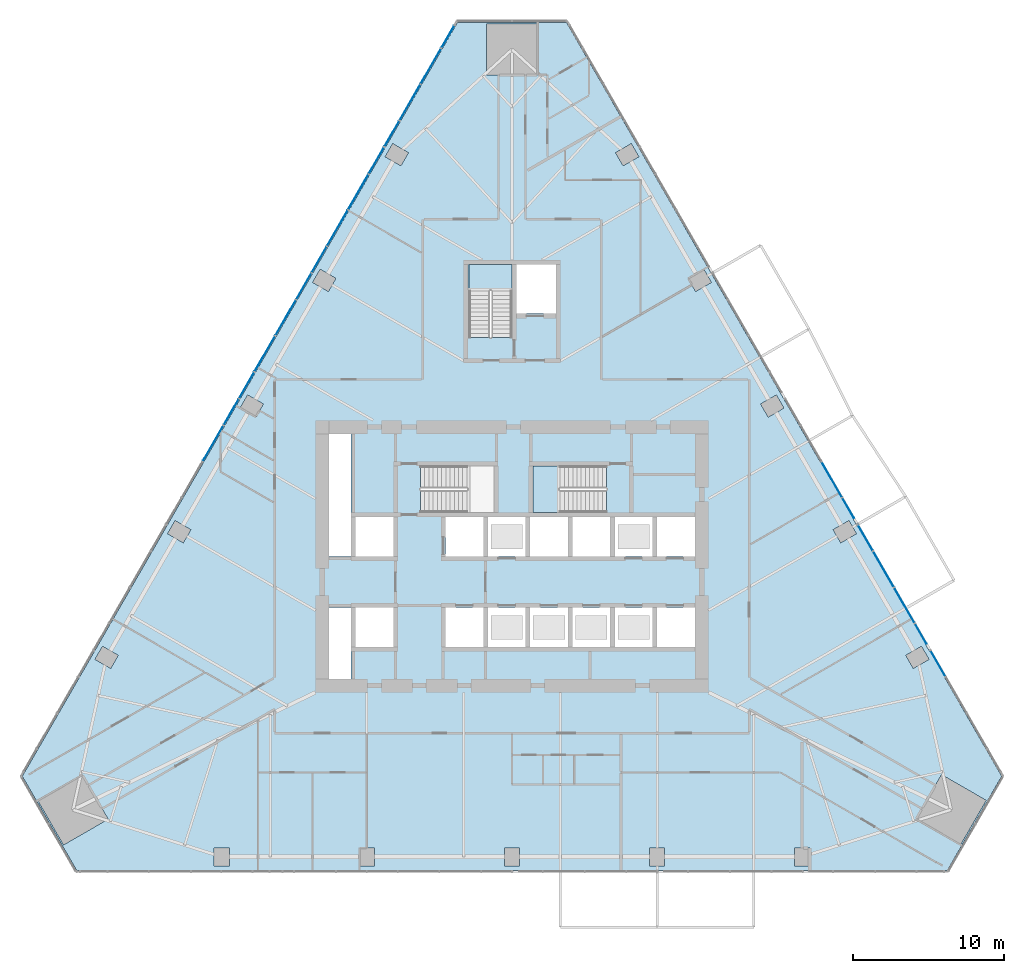
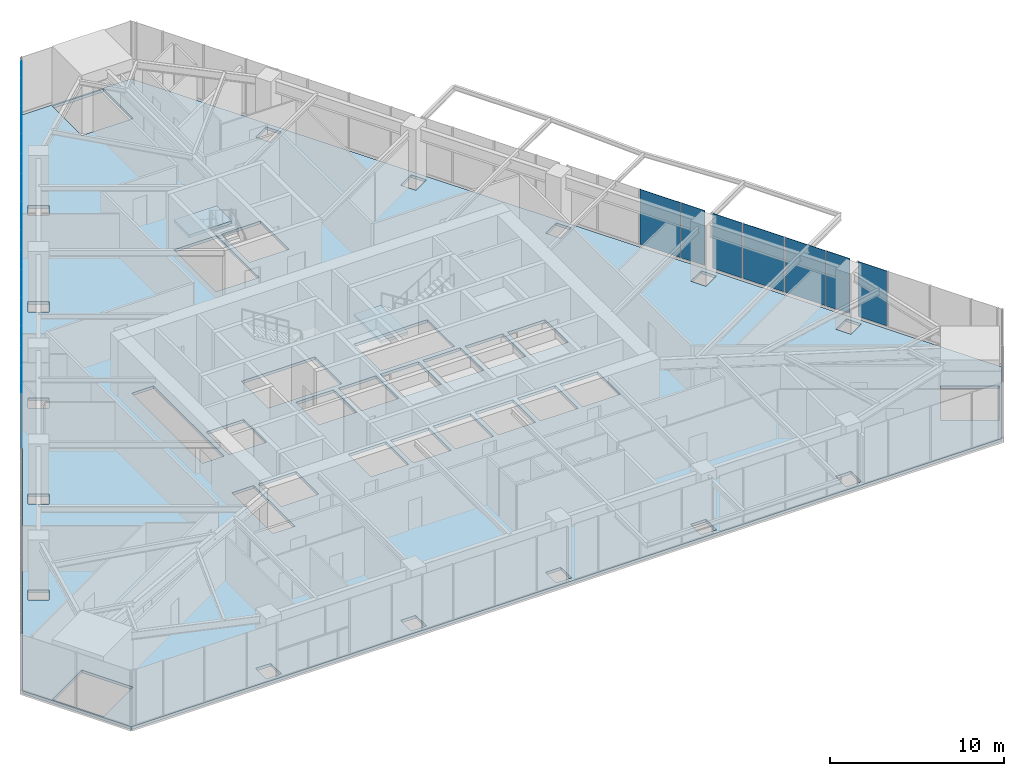
# One storey, part 18 of 29: 21 plates, 3 slabs, 4 elements without a shape of their own.
"""IFC4 building model written with IfcOpenShell, lengths in metres."""

import ifcopenshell
import ifcopenshell.guid

model = None  # the IFC model being written
_history = None  # IfcOwnerHistory: only IFC2X3 demands one
_inside = {}  # id of a spatial element -> (the spatial element, [elements in it])
_under = {}  # id of a project, library or spatial element -> (it, [spatial elements below it])
_declared = {}  # id of a project -> (the project, [libraries it declares])
_typed = {}  # id of a type object -> (the type object, [elements of that type])
_made_of = {}  # id of a material, layer set ... -> (it, [elements and type objects made of it])


def new_model(schema):
    """Start an empty IFC model of exactly this schema.

    Asked for "IFC4X3", IfcOpenShell would pick the latest addendum, in which some entities
    have other attributes; the version numbers below select the first issue.
    IFC2X3 requires an IfcOwnerHistory on every rooted entity: one is made here for all.
    """
    global model, _history
    if schema == "IFC4X3":
        model = ifcopenshell.file(schema_version=(4, 3, 0, 0))
    else:
        model = ifcopenshell.file(schema=schema)
    _inside.clear()
    _under.clear()
    _declared.clear()
    _typed.clear()
    _made_of.clear()
    _history = None
    if model.schema == "IFC2X3":
        org = make("IfcOrganization", Name="unknown")
        user = make(
            "IfcPersonAndOrganization",
            ThePerson=make("IfcPerson", FamilyName="unknown"),
            TheOrganization=org,
        )
        app = make(
            "IfcApplication",
            ApplicationDeveloper=org,
            Version="unknown",
            ApplicationFullName="unknown",
            ApplicationIdentifier="unknown",
        )
        _history = make(
            "IfcOwnerHistory",
            OwningUser=user,
            OwningApplication=app,
            ChangeAction="ADDED",
            CreationDate=0,
        )
    return model


def make(cls, **values):
    """One entity of the class cls with the attributes given. An attribute that is None is left unset."""
    return model.create_entity(
        cls, **{name: value for name, value in values.items() if value is not None}
    )


def rooted(cls, **values):
    """An entity with a GlobalId (a new one), such as an element, a storey or a relation."""
    return make(cls, GlobalId=ifcopenshell.guid.new(), OwnerHistory=_history, **values)


def si_unit(unit_type, name, prefix=None):
    """IfcSIUnit, for example si_unit("LENGTHUNIT", "METRE", prefix="MILLI")."""
    return make("IfcSIUnit", UnitType=unit_type, Prefix=prefix, Name=name)


def assignment(units):
    """IfcUnitAssignment: the units of a project."""
    return None if units is None else make("IfcUnitAssignment", Units=units)


def point(xyz):
    """IfcCartesianPoint."""
    return None if xyz is None else make("IfcCartesianPoint", Coordinates=xyz)


def direction(xyz):
    """IfcDirection."""
    return None if xyz is None else make("IfcDirection", DirectionRatios=xyz)


def frame(location, z_axis=None, x_axis=None):
    """IfcAxis2Placement3D, a coordinate frame: its origin and axes. An axis left out is left unset."""
    return make(
        "IfcAxis2Placement3D",
        Location=point(location),
        Axis=direction(z_axis),
        RefDirection=direction(x_axis),
    )


def origin():
    """The frame at (0, 0, 0) with its axes left unset."""
    return frame((0.0, 0.0, 0.0))


def place(relative_to, where):
    """IfcLocalPlacement: puts the frame where relative to a parent placement (None: the world)."""
    return make(
        "IfcLocalPlacement", PlacementRelTo=relative_to, RelativePlacement=where
    )


def context(
    kind, dimensions, precision=None, world=None, true_north=None, identifier=None
):
    """IfcGeometricRepresentationContext, for example the 3D "Model" context."""
    return make(
        "IfcGeometricRepresentationContext",
        ContextIdentifier=identifier,
        ContextType=kind,
        CoordinateSpaceDimension=dimensions,
        Precision=precision,
        WorldCoordinateSystem=world,
        TrueNorth=true_north,
    )


def subcontext(parent, identifier, kind, view, scale=None):
    """IfcGeometricRepresentationSubContext, for example "Body" below "Model"."""
    return make(
        "IfcGeometricRepresentationSubContext",
        ContextIdentifier=identifier,
        ContextType=kind,
        ParentContext=parent,
        TargetScale=scale,
        TargetView=view,
    )


def project(units=None, contexts=None):
    """IfcProject with its units and contexts."""
    return rooted(
        "IfcProject",
        Name="project",
        RepresentationContexts=contexts,
        UnitsInContext=assignment(units),
    )


def spatial(cls, under=None, at=None, **own):
    """A site, building, storey or space (cls), placed at a placement, below another one or the project."""
    s = rooted(cls, ObjectPlacement=at, **own)
    if under is not None:
        _under.setdefault(under.id(), (under, []))[1].append(s)
    return s


def polyline(points):
    """IfcPolyline through the points."""
    return make("IfcPolyline", Points=[point(p) for p in points])


def outline(outer, holes=None, kind="AREA"):
    """IfcArbitraryClosedProfileDef: a profile drawn as a closed curve; with holes, ...WithVoids."""
    if holes is None:
        return make("IfcArbitraryClosedProfileDef", ProfileType=kind, OuterCurve=outer)
    return make(
        "IfcArbitraryProfileDefWithVoids",
        ProfileType=kind,
        OuterCurve=outer,
        InnerCurves=holes,
    )


def extrude(swept, where, along, depth):
    """IfcExtrudedAreaSolid: the profile swept, set in the frame where, extruded along a direction by depth."""
    return make(
        "IfcExtrudedAreaSolid",
        SweptArea=swept,
        Position=where,
        ExtrudedDirection=direction(along),
        Depth=depth,
    )


def shape(context_of_items, identifier, shape_type, items):
    """IfcShapeRepresentation: the items that make up one representation, for example the "Body"."""
    return make(
        "IfcShapeRepresentation",
        ContextOfItems=context_of_items,
        RepresentationIdentifier=identifier,
        RepresentationType=shape_type,
        Items=items,
    )


def material(Name=None, Category=None):
    """IfcMaterial."""
    return make("IfcMaterial", Name=Name, Category=Category)


def layer(
    of_material, thickness, ventilated=None, Name=None, Category=None, Priority=None
):
    """IfcMaterialLayer: one layer of a wall or slab, of a material (None: an air gap)."""
    return make(
        "IfcMaterialLayer",
        Material=of_material,
        LayerThickness=thickness,
        IsVentilated=ventilated,
        Name=Name,
        Category=Category,
        Priority=Priority,
    )


def layer_set(layers, Name=None):
    """IfcMaterialLayerSet."""
    return make("IfcMaterialLayerSet", MaterialLayers=layers, LayerSetName=Name)


def made_of(thing, what):
    """Note that an element or type object is made of a material, layer set ...; save() writes the relation."""
    if what is not None:
        _made_of.setdefault(what.id(), (what, []))[1].append(thing)
    return thing


def type_object(cls, material=None, **own):
    """A type object (cls), such as IfcWallType, which elements share."""
    return made_of(rooted(cls, **own), material)


def element(
    cls,
    number,
    at=None,
    inside=None,
    cuts=None,
    type_object=None,
    material=None,
    context=None,
    identifier="Body",
    shape_type=None,
    held_by="IfcProductDefinitionShape",
    body=None,
    shapes=None,
    **own,
):
    """One element of the class cls, such as IfcWall. Its Tag is "e" and its number.

    at: its placement. inside: the storey or other place that contains it. cuts: it is an
    opening in that element (IfcRelVoidsElement). A single representation is given by context,
    identifier, shape_type and body (its items); several are given by shapes. held_by: the class
    of the entity that holds the representations. save() writes the other relations.
    """
    e = rooted(cls, Tag="e%d" % number, ObjectPlacement=at, **own)
    if body is not None:
        shapes = [shape(context, identifier, shape_type, body)]
    if shapes is not None:
        e.Representation = make(held_by, Representations=shapes)
    if inside is not None:
        _inside.setdefault(inside.id(), (inside, []))[1].append(e)
    if cuts is not None:
        rooted(
            "IfcRelVoidsElement", RelatingBuildingElement=cuts, RelatedOpeningElement=e
        )
    if type_object is not None:
        _typed.setdefault(type_object.id(), (type_object, []))[1].append(e)
    return made_of(e, material)


def aggregate(whole, parts):
    """IfcRelAggregates: a whole, such as a stair, and the parts it consists of."""
    return rooted("IfcRelAggregates", RelatingObject=whole, RelatedObjects=parts)


def save(model, path):
    """Write the relations noted so far, then the file.

    IfcRelAggregates (storeys below a building ...), IfcRelContainedInSpatialStructure (elements
    in a storey), IfcRelDefinesByType, IfcRelAssociatesMaterial and IfcRelDeclares: one each for
    every whole, place, type object, material and project.
    """
    for whole, parts in _under.values():
        aggregate(whole, parts)
    for where, things in _inside.values():
        rooted(
            "IfcRelContainedInSpatialStructure",
            RelatedElements=things,
            RelatingStructure=where,
        )
    for kind, things in _typed.values():
        rooted("IfcRelDefinesByType", RelatedObjects=things, RelatingType=kind)
    for what, things in _made_of.values():
        rooted("IfcRelAssociatesMaterial", RelatedObjects=things, RelatingMaterial=what)
    for by, libraries in _declared.values():
        rooted("IfcRelDeclares", RelatingContext=by, RelatedDefinitions=libraries)
    model.write(path)


model = new_model("IFC4")

# Units and contexts
model_context = context("Model", 3, precision=1e-05, world=origin(), true_north=direction((0.0, 1.0)))
body_context = subcontext(model_context, "Body", "Model", "MODEL_VIEW")
ifc_project = project(units=[si_unit("LENGTHUNIT", "METRE"), si_unit("AREAUNIT", "SQUARE_METRE"), si_unit("VOLUMEUNIT", "CUBIC_METRE"), si_unit("PLANEANGLEUNIT", "RADIAN"), si_unit("MASSUNIT", "GRAM", prefix="KILO")], contexts=[model_context])

# Site, building, storey
site_placement = place(None, origin())
site = spatial("IfcSite", under=ifc_project, at=site_placement, CompositionType="ELEMENT")
building_placement = place(site_placement, origin())
building = spatial("IfcBuilding", under=site, at=building_placement, Name="Firuza Gate Tower and Library", CompositionType="ELEMENT")
storey_placement = place(building_placement, frame((0.0, 0.0, 44.199951171875)))
storey = spatial("IfcBuildingStorey", under=building, at=storey_placement, Name="L09", CompositionType="ELEMENT", Elevation=44.199951171875)

# Slab
ifc_material_1 = material(Name="Concrete C40/50", Category="concrete")
ifc_layer_1 = layer(ifc_material_1, 0.199951171875)
ifc_layer_set_1 = layer_set([ifc_layer_1], Name="Composite floor slab 200 C40/50")
slab_type_1 = type_object("IfcSlabType", Name="Composite floor slab 200 C40/50", PredefinedType="FLOOR", material=ifc_layer_set_1)
slab_1_placement = place(storey_placement, frame((0.0, 0.0, -0.199951171875)))
element("IfcSlab", 1, at=slab_1_placement, inside=storey, type_object=slab_type_1, Name="Floor slab L09", PredefinedType="FLOOR", context=body_context, shape_type="SweptSolid", body=[
    extrude(outline(polyline([(42.60009765625, 60.45068359375), (46.199951171875, 54.21533203125), (103.800048828125, 54.21533203125), (107.39990234375, 60.45068359375), (78.60009765625, 110.333740234375), (71.39990234375, 110.333740234375), (42.60009765625, 60.45068359375)]), holes=[polyline([(55.300048828125, 54.515380859375), (55.300048828125, 55.71533203125), (56.300048828125, 55.71533203125), (56.300048828125, 54.515380859375), (55.300048828125, 54.515380859375)]), polyline([(64.89990234375, 54.515380859375), (64.89990234375, 55.71533203125), (65.89990234375, 55.71533203125), (65.89990234375, 54.515380859375), (64.89990234375, 54.515380859375)]), polyline([(43.63671875, 58.855224609375), (46.5810546875, 60.555419921875), (48.281005859375, 57.61083984375), (45.336669921875, 55.910888671875), (43.63671875, 58.855224609375)]), polyline([(47.909912109375, 69.047607421875), (48.948974609375, 68.447509765625), (48.448974609375, 67.58154296875), (47.409912109375, 68.181640625), (47.909912109375, 69.047607421875)]), polyline([(64.35009765625, 66.89990234375), (62.89990234375, 66.89990234375), (62.89990234375, 71.60009765625), (64.35009765625, 71.60009765625), (64.35009765625, 66.89990234375)]), polyline([(75.89990234375, 69.0), (73.39990234375, 69.0), (73.39990234375, 71.60009765625), (75.89990234375, 71.60009765625), (75.89990234375, 69.0)]), polyline([(73.10009765625, 69.0), (70.60009765625, 69.0), (70.60009765625, 71.60009765625), (73.10009765625, 71.60009765625), (73.10009765625, 69.0)]), polyline([(64.64990234375, 69.0), (64.64990234375, 71.60009765625), (67.14990234375, 71.60009765625), (67.14990234375, 69.0), (64.64990234375, 69.0)]), polyline([(64.64990234375, 75.0), (64.64990234375, 77.60009765625), (67.14990234375, 77.60009765625), (67.14990234375, 75.0), (64.64990234375, 75.0)]), polyline([(75.89990234375, 75.0), (73.39990234375, 75.0), (73.39990234375, 77.60009765625), (75.89990234375, 77.60009765625), (75.89990234375, 75.0)]), polyline([(73.10009765625, 75.0), (70.60009765625, 75.0), (70.60009765625, 77.60009765625), (73.10009765625, 77.60009765625), (73.10009765625, 75.0)]), polyline([(52.709716796875, 77.361572265625), (53.7490234375, 76.761474609375), (53.2490234375, 75.8955078125), (52.209716796875, 76.495361328125), (52.709716796875, 77.361572265625)]), polyline([(62.89990234375, 75.0), (62.89990234375, 83.10009765625), (64.35009765625, 83.10009765625), (64.35009765625, 75.0), (62.89990234375, 75.0)]), polyline([(68.9404296875, 77.89990234375), (68.9404296875, 80.97998046875), (73.81005859375, 80.97998046875), (73.81005859375, 77.89990234375), (68.9404296875, 77.89990234375)]), polyline([(57.509765625, 85.67529296875), (58.549072265625, 85.075439453125), (58.049072265625, 84.209228515625), (57.009765625, 84.809326171875), (57.509765625, 85.67529296875)]), polyline([(72.159912109375, 89.470458984375), (72.159912109375, 94.300048828125), (75.0, 94.300048828125), (75.0, 89.470458984375), (72.159912109375, 89.470458984375)]), polyline([(62.309814453125, 93.9892578125), (63.34912109375, 93.38916015625), (62.84912109375, 92.523193359375), (61.809814453125, 93.123046875), (62.309814453125, 93.9892578125)]), polyline([(68.14892578125, 101.703125), (67.64892578125, 100.8369140625), (66.60986328125, 101.43701171875), (67.10986328125, 102.302978515625), (68.14892578125, 101.703125)]), polyline([(76.699951171875, 106.833740234375), (73.300048828125, 106.833740234375), (73.300048828125, 110.23388671875), (76.699951171875, 110.23388671875), (76.699951171875, 106.833740234375)]), polyline([(93.699951171875, 54.515380859375), (93.699951171875, 55.71533203125), (94.699951171875, 55.71533203125), (94.699951171875, 54.515380859375), (93.699951171875, 54.515380859375)]), polyline([(74.5, 54.515380859375), (74.5, 55.71533203125), (75.5, 55.71533203125), (75.5, 54.515380859375), (74.5, 54.515380859375)]), polyline([(84.10009765625, 54.515380859375), (84.10009765625, 55.71533203125), (85.10009765625, 55.71533203125), (85.10009765625, 54.515380859375), (84.10009765625, 54.515380859375)]), polyline([(104.663330078125, 55.910888671875), (101.718994140625, 57.61083984375), (103.4189453125, 60.555419921875), (106.36328125, 58.855224609375), (104.663330078125, 55.910888671875)]), polyline([(102.590087890625, 68.181640625), (101.551025390625, 67.58154296875), (101.051025390625, 68.447509765625), (102.090087890625, 69.047607421875), (102.590087890625, 68.181640625)]), polyline([(78.699951171875, 69.0), (76.199951171875, 69.0), (76.199951171875, 71.60009765625), (78.699951171875, 71.60009765625), (78.699951171875, 69.0)]), polyline([(81.5, 69.0), (79.0, 69.0), (79.0, 71.60009765625), (81.5, 71.60009765625), (81.5, 69.0)]), polyline([(84.60009765625, 69.0), (84.60009765625, 71.60009765625), (87.10009765625, 71.60009765625), (87.10009765625, 69.0), (84.60009765625, 69.0)]), polyline([(81.800048828125, 69.0), (81.800048828125, 71.60009765625), (84.300048828125, 71.60009765625), (84.300048828125, 69.0), (81.800048828125, 69.0)]), polyline([(84.300048828125, 75.0), (81.800048828125, 75.0), (81.800048828125, 77.60009765625), (84.300048828125, 77.60009765625), (84.300048828125, 75.0)]), polyline([(87.10009765625, 75.0), (84.60009765625, 75.0), (84.60009765625, 77.60009765625), (87.10009765625, 77.60009765625), (87.10009765625, 75.0)]), polyline([(81.5, 75.0), (79.0, 75.0), (79.0, 77.60009765625), (81.5, 77.60009765625), (81.5, 75.0)]), polyline([(76.199951171875, 75.0), (76.199951171875, 77.60009765625), (78.699951171875, 77.60009765625), (78.699951171875, 75.0), (76.199951171875, 75.0)]), polyline([(96.7509765625, 75.8955078125), (96.2509765625, 76.761474609375), (97.290283203125, 77.361572265625), (97.790283203125, 76.495361328125), (96.7509765625, 75.8955078125)]), polyline([(81.259521484375, 77.89990234375), (76.389892578125, 77.89990234375), (76.389892578125, 80.97998046875), (81.259521484375, 80.97998046875), (81.259521484375, 77.89990234375)]), polyline([(92.990234375, 84.809326171875), (91.950927734375, 84.209228515625), (91.450927734375, 85.075439453125), (92.490234375, 85.67529296875), (92.990234375, 84.809326171875)]), polyline([(77.89990234375, 91.050048828125), (75.300048828125, 91.050048828125), (75.300048828125, 94.300048828125), (77.89990234375, 94.300048828125), (77.89990234375, 91.050048828125)]), polyline([(87.15087890625, 92.523193359375), (86.65087890625, 93.38916015625), (87.690185546875, 93.9892578125), (88.190185546875, 93.123046875), (87.15087890625, 92.523193359375)]), polyline([(82.35107421875, 100.8369140625), (81.85107421875, 101.703125), (82.89013671875, 102.302978515625), (83.39013671875, 101.43701171875), (82.35107421875, 100.8369140625)])]), origin(), (0.0, 0.0, 1.0), 0.199951171875),
])

# Curtain wall, plates
ifc_material_2 = material(Name="Aluminium 6063-T6", Category="aluminium")
ifc_layer_2 = layer(ifc_material_2, 0.14990234375)
ifc_layer_set_2 = layer_set([ifc_layer_2], Name="Unitised curtain wall, offices")
curtain_wall_type = type_object("IfcCurtainWallType", Name="Unitised curtain wall, offices", PredefinedType="NOTDEFINED", material=ifc_layer_set_2)
placement_1 = place(storey_placement, origin())
curtain_wall_1 = element("IfcCurtainWall", 2, at=placement_1, inside=storey, type_object=curtain_wall_type, Name="CW1 L09 E face", PredefinedType="NOTDEFINED")
ifc_material_3 = material(Name="Fritted glass", Category="glass")
ifc_layer_3 = layer(ifc_material_3, 0.030029296875)
ifc_layer_set_3 = layer_set([ifc_layer_3], Name="Fritted glass unit, offices")
plate_type_1 = type_object("IfcPlateType", Name="Fritted glass unit, offices", PredefinedType="CURTAIN_PANEL", material=ifc_layer_set_3)
plate_1_placement = place(storey_placement, frame((103.6767578125, 67.07958984375, 0.150146484375), z_axis=(0.86603803935, 0.499978113919, 0.0), x_axis=(-0.499978113919, 0.86603803935, 0.0)))
plate_1 = element("IfcPlate", 3, at=plate_1_placement, type_object=plate_type_1, Name="Glass unit", PredefinedType="CURTAIN_PANEL", context=body_context, shape_type="SweptSolid", body=[
    extrude(outline(polyline([(0.0, 0.0), (1.928795365042954, 0.0), (1.928795365042954, 3.849853515625001), (0.0, 3.849853515625001), (0.0, 0.0)])), origin(), (0.0, 0.0, -1.0), 0.030029296875),
])
plate_2_placement = place(storey_placement, frame((102.434326171875, 69.2314453125, 0.150146484375), z_axis=(0.866056390234, 0.499946326053, 0.0), x_axis=(-0.499946326053, 0.866056390234, 0.0)))
plate_2 = element("IfcPlate", 4, at=plate_2_placement, type_object=plate_type_1, Name="Glass unit", PredefinedType="CURTAIN_PANEL", context=body_context, shape_type="SweptSolid", body=[
    extrude(outline(polyline([(0.0, 0.0), (1.5104160462301448, 0.0), (1.5104160462301448, 3.849853515625), (0.0, 3.849853515625), (0.0, 0.0)])), origin(), (0.0, 0.0, -1.0), 0.030029296875),
])
plate_3_placement = place(storey_placement, frame((98.876708984375, 75.3935546875, 0.150146484375), z_axis=(0.866062147103, 0.499936353304, 0.0), x_axis=(-0.499936353304, 0.866062147103, 0.0)))
plate_3 = element("IfcPlate", 5, at=plate_3_placement, type_object=plate_type_1, Name="Glass unit", PredefinedType="CURTAIN_PANEL", context=body_context, shape_type="SweptSolid", body=[
    extrude(outline(polyline([(0.0, 0.0), (1.9431184398875354, 0.0), (1.9431184398875354, 3.849853515625), (0.0, 3.849853515625), (0.0, 0.0)])), origin(), (0.0, 0.0, -1.0), 0.030029296875),
])
plate_4_placement = place(storey_placement, frame((97.634521484375, 77.545166015625, 0.150146484375), z_axis=(0.866026809777, 0.499997564742, 0.0), x_axis=(-0.499997564742, 0.866026809777, 0.0)))
plate_4 = element("IfcPlate", 6, at=plate_4_placement, type_object=plate_type_1, Name="Glass unit", PredefinedType="CURTAIN_PANEL", context=body_context, shape_type="SweptSolid", body=[
    extrude(outline(polyline([(0.0, 0.0), (1.51074954563117, 0.0), (1.51074954563117, 3.849853515625), (0.0, 3.849853515625), (0.0, 0.0)])), origin(), (0.0, 0.0, -1.0), 0.030029296875),
])

curtain_wall_2 = element("IfcCurtainWall", 7, at=placement_1, inside=storey, type_object=curtain_wall_type, Name="CW1 L09 W face", PredefinedType="NOTDEFINED")
plate_5_placement = place(storey_placement, frame((71.158203125, 110.094970703125, 0.150146484375), z_axis=(-0.866002968352, 0.500038857296, 0.0), x_axis=(-0.500038857296, -0.866002968352, 0.0)))
plate_5 = element("IfcPlate", 8, at=plate_5_placement, type_object=plate_type_1, Name="Glass unit", PredefinedType="CURTAIN_PANEL", context=body_context, shape_type="SweptSolid", body=[
    extrude(outline(polyline([(0.0, 0.0), (1.6697921077880786, 0.0), (1.6697921077880786, 3.849853515625), (0.0, 3.849853515625), (0.0, 0.0)])), origin(), (0.0, 0.0, -1.0), 0.030029296875),
])
plate_6_placement = place(storey_placement, frame((67.520751953125, 103.794921875, 0.150146484375), z_axis=(-0.866006392733, 0.500032926662, 0.0), x_axis=(-0.500032926662, -0.866006392733, 0.0)))
plate_6 = element("IfcPlate", 9, at=plate_6_placement, type_object=plate_type_1, Name="Glass unit", PredefinedType="CURTAIN_PANEL", context=body_context, shape_type="SweptSolid", body=[
    extrude(outline(polyline([(0.0, 0.0), (1.9285839338376538, 0.0), (1.9285839338376538, 3.849853515625), (0.0, 3.849853515625), (0.0, 0.0)])), origin(), (0.0, 0.0, -1.0), 0.030029296875),
])
plate_7_placement = place(storey_placement, frame((66.5166015625, 102.055419921875, 0.150146484375), z_axis=(-0.866003444533, 0.50003803261, 0.0), x_axis=(-0.50003803261, -0.866003444533, 0.0)))
plate_7 = element("IfcPlate", 10, at=plate_7_placement, type_object=plate_type_1, Name="Glass unit", PredefinedType="CURTAIN_PANEL", context=body_context, shape_type="SweptSolid", body=[
    extrude(outline(polyline([(0.0, 0.0), (1.9866652901162536, 0.0), (1.9866652901162536, 3.849853515625), (0.0, 3.849853515625), (0.0, 0.0)])), origin(), (0.0, 0.0, -1.0), 0.030029296875),
])
plate_8_placement = place(storey_placement, frame((62.720947265625, 95.481201171875, 0.150146484375), z_axis=(-0.866007744685, 0.500030585209, 0.0), x_axis=(-0.500030585209, -0.866007744685, 0.0)))
plate_8 = element("IfcPlate", 11, at=plate_8_placement, type_object=plate_type_1, Name="Glass unit", PredefinedType="CURTAIN_PANEL", context=body_context, shape_type="SweptSolid", body=[
    extrude(outline(polyline([(0.0, 0.0), (1.9432405061645706, 0.0), (1.9432405061645706, 3.849853515625), (0.0, 3.849853515625), (0.0, 0.0)])), origin(), (0.0, 0.0, -1.0), 0.030029296875),
])
plate_9_placement = place(storey_placement, frame((61.709228515625, 93.72900390625, 0.150146484375), z_axis=(-0.866002090371, 0.500040377843, 0.0), x_axis=(-0.500040377843, -0.866002090371, 0.0)))
plate_9 = element("IfcPlate", 12, at=plate_9_placement, type_object=plate_type_1, Name="Glass unit", PredefinedType="CURTAIN_PANEL", context=body_context, shape_type="SweptSolid", body=[
    extrude(outline(polyline([(0.0, 0.0), (1.9720087178349028, 0.0), (1.9720087178349028, 3.849853515625), (0.0, 3.849853515625), (0.0, 0.0)])), origin(), (0.0, 0.0, -1.0), 0.030029296875),
])
plate_10_placement = place(storey_placement, frame((57.9208984375, 87.167236328125, 0.150146484375), z_axis=(-0.866031898715, 0.499988750281, 0.0), x_axis=(-0.499988750281, -0.866031898715, 0.0)))
plate_10 = element("IfcPlate", 13, at=plate_10_placement, type_object=plate_type_1, Name="Glass unit", PredefinedType="CURTAIN_PANEL", context=body_context, shape_type="SweptSolid", body=[
    extrude(outline(polyline([(0.0, 0.0), (1.9575635753309661, 0.0), (1.9575635753309661, 3.849853515625), (0.0, 3.849853515625), (0.0, 0.0)])), origin(), (0.0, 0.0, -1.0), 0.030029296875),
])
plate_11_placement = place(storey_placement, frame((56.902099609375, 85.402587890625, 0.150146484375), z_axis=(-0.866031898715, 0.499988750281, 0.0), x_axis=(-0.499988750281, -0.866031898715, 0.0)))
plate_11 = element("IfcPlate", 14, at=plate_11_placement, type_object=plate_type_1, Name="Glass unit", PredefinedType="CURTAIN_PANEL", context=body_context, shape_type="SweptSolid", body=[
    extrude(outline(polyline([(0.0, 0.0), (1.9575635753309661, 0.0), (1.9575635753309661, 3.849853515625), (0.0, 3.849853515625), (0.0, 0.0)])), origin(), (0.0, 0.0, -1.0), 0.030029296875),
])

# Plate
ifc_material_4 = material(Name="Glazed ceramic tile")
ifc_layer_4 = layer(ifc_material_4, 0.030029296875)
ifc_layer_set_4 = layer_set([ifc_layer_4], Name="Opaque ceramic panel, offices")
plate_type_2 = type_object("IfcPlateType", Name="Opaque ceramic panel, offices", PredefinedType="CURTAIN_PANEL", material=ifc_layer_set_4)
plate_12_placement = place(storey_placement, frame((101.63916015625, 70.60888671875, 0.150146484375), z_axis=(0.866026668906, 0.499997808738, 0.0), x_axis=(-0.499997808738, 0.866026668906, 0.0)))
plate_12 = element("IfcPlate", 15, at=plate_12_placement, type_object=plate_type_2, Name="Opaque ceramic panel", PredefinedType="CURTAIN_PANEL", context=body_context, shape_type="SweptSolid", body=[
    extrude(outline(polyline([(0.0, 0.0), (2.6606561916387736, 0.0), (2.6606561916387736, 3.849853515625), (0.0, 3.849853515625), (0.0, 0.0)])), origin(), (0.0, 0.0, -1.0), 0.030029296875),
])

plate_13_placement = place(storey_placement, frame((100.268798828125, 72.982421875, 0.150146484375), z_axis=(0.866023205937, 0.500003806764, 0.0), x_axis=(-0.500003806764, 0.866023205937, 0.0)))
plate_13 = element("IfcPlate", 16, at=plate_13_placement, type_object=plate_type_2, Name="Opaque ceramic panel", PredefinedType="CURTAIN_PANEL", context=body_context, shape_type="SweptSolid", body=[
    extrude(outline(polyline([(0.0, 0.0), (2.7040809749041363, 0.0), (2.7040809749041363, 3.849853515625), (0.0, 3.849853515625), (0.0, 0.0)])), origin(), (0.0, 0.0, -1.0), 0.030029296875),
])

plate_14_placement = place(storey_placement, frame((96.839111328125, 78.922607421875, 0.150146484375), z_axis=(0.866027539765, 0.499996300355, 0.0), x_axis=(-0.499996300355, 0.866027539765, 0.0)))
plate_14 = element("IfcPlate", 17, at=plate_14_placement, type_object=plate_type_2, Name="Opaque ceramic panel", PredefinedType="CURTAIN_PANEL", context=body_context, shape_type="SweptSolid", body=[
    extrude(outline(polyline([(0.0, 0.0), (2.6753127641636505, 0.0), (2.6753127641636505, 3.849853515625001), (0.0, 3.849853515625001), (0.0, 0.0)])), origin(), (0.0, 0.0, -1.0), 0.030029296875),
])

aggregate(curtain_wall_1, [plate_1, plate_2, plate_12, plate_13, plate_3, plate_4, plate_14])

plate_15_placement = place(storey_placement, frame((70.283203125, 108.57958984375, 0.150146484375), z_axis=(-0.866048852527, 0.499959383386, 0.0), x_axis=(-0.499959383386, -0.866048852527, 0.0)))
plate_15 = element("IfcPlate", 18, at=plate_15_placement, type_object=plate_type_2, Name="Opaque ceramic panel", PredefinedType="CURTAIN_PANEL", context=body_context, shape_type="SweptSolid", body=[
    extrude(outline(polyline([(0.0, 0.0), (2.646211054014861, 0.0), (2.646211054014861, 3.849853515625), (0.0, 3.849853515625), (0.0, 0.0)])), origin(), (0.0, 0.0, -1.0), 0.030029296875),
])

plate_16_placement = place(storey_placement, frame((68.920166015625, 106.218505859375, 0.150146484375), z_axis=(-0.866001628925, 0.500041177004, 0.0), x_axis=(-0.500041177004, -0.866001628925, 0.0)))
plate_16 = element("IfcPlate", 19, at=plate_16_placement, type_object=plate_type_2, Name="Opaque ceramic panel", PredefinedType="CURTAIN_PANEL", context=body_context, shape_type="SweptSolid", body=[
    extrude(outline(polyline([(0.0, 0.0), (2.718526118476656, 0.0), (2.718526118476656, 3.849853515625), (0.0, 3.849853515625), (0.0, 0.0)])), origin(), (0.0, 0.0, -1.0), 0.030029296875),
])

plate_17_placement = place(storey_placement, frame((65.483154296875, 100.265625, 0.150146484375), z_axis=(-0.866026668906, 0.499997808738, 0.0), x_axis=(-0.499997808738, -0.866026668906, 0.0)))
plate_17 = element("IfcPlate", 20, at=plate_17_placement, type_object=plate_type_2, Name="Opaque ceramic panel", PredefinedType="CURTAIN_PANEL", context=body_context, shape_type="SweptSolid", body=[
    extrude(outline(polyline([(0.0, 0.0), (2.6606561916387736, 0.0), (2.6606561916387736, 3.849853515625), (0.0, 3.849853515625), (0.0, 0.0)])), origin(), (0.0, 0.0, -1.0), 0.030029296875),
])

plate_18_placement = place(storey_placement, frame((64.11279296875, 97.89208984375, 0.150146484375), z_axis=(-0.866023205937, 0.500003806764, 0.0), x_axis=(-0.500003806764, -0.866023205937, 0.0)))
plate_18 = element("IfcPlate", 21, at=plate_18_placement, type_object=plate_type_2, Name="Opaque ceramic panel", PredefinedType="CURTAIN_PANEL", context=body_context, shape_type="SweptSolid", body=[
    extrude(outline(polyline([(0.0, 0.0), (2.7040809749041363, 0.0), (2.7040809749041363, 3.849853515625), (0.0, 3.849853515625), (0.0, 0.0)])), origin(), (0.0, 0.0, -1.0), 0.030029296875),
])

plate_19_placement = place(storey_placement, frame((60.683349609375, 91.951904296875, 0.150146484375), z_axis=(-0.866027539765, 0.499996300355, 0.0), x_axis=(-0.499996300355, -0.866027539765, 0.0)))
plate_19 = element("IfcPlate", 22, at=plate_19_placement, type_object=plate_type_2, Name="Opaque ceramic panel", PredefinedType="CURTAIN_PANEL", context=body_context, shape_type="SweptSolid", body=[
    extrude(outline(polyline([(0.0, 0.0), (2.6753127641636505, 0.0), (2.6753127641636505, 3.849853515625001), (0.0, 3.849853515625001), (0.0, 0.0)])), origin(), (0.0, 0.0, -1.0), 0.030029296875),
])

plate_20_placement = place(storey_placement, frame((59.3056640625, 89.56591796875, 0.150146484375), z_axis=(-0.866045013077, 0.499966034171, 0.0), x_axis=(-0.499966034171, -0.866045013077, 0.0)))
plate_20 = element("IfcPlate", 23, at=plate_20_placement, type_object=plate_type_2, Name="Opaque ceramic panel", PredefinedType="CURTAIN_PANEL", context=body_context, shape_type="SweptSolid", body=[
    extrude(outline(polyline([(0.0, 0.0), (2.689635836420977, 0.0), (2.689635836420977, 3.849853515625001), (0.0, 3.849853515625001), (0.0, 0.0)])), origin(), (0.0, 0.0, -1.0), 0.030029296875),
])

plate_21_placement = place(storey_placement, frame((55.88330078125, 83.637939453125, 0.150146484375), z_axis=(-0.865983011555, 0.500073418308, 0.0), x_axis=(-0.500073418308, -0.865983011555, 0.0)))
plate_21 = element("IfcPlate", 24, at=plate_21_placement, type_object=plate_type_2, Name="Opaque ceramic panel", PredefinedType="CURTAIN_PANEL", context=body_context, shape_type="SweptSolid", body=[
    extrude(outline(polyline([(0.0, 0.0), (2.689546482346884, 0.0), (2.689546482346884, 3.849853515625), (0.0, 3.849853515625), (0.0, 0.0)])), origin(), (0.0, 0.0, -1.0), 0.030029296875),
])

aggregate(curtain_wall_2, [plate_5, plate_15, plate_16, plate_6, plate_7, plate_17, plate_18, plate_8, plate_9, plate_19, plate_20, plate_10, plate_11, plate_21])

# Stair, slab
ifc_material_5 = material(Name="Concrete C35/45", Category="concrete")
stair_type_1 = type_object("IfcStairType", Name="Exit stair ST5", PredefinedType="HALF_TURN_STAIR", material=ifc_material_5)
stair_1 = element("IfcStair", 25, at=placement_1, inside=storey, type_object=stair_type_1, Name="L09 Stair ST2", PredefinedType="HALF_TURN_STAIR")
ifc_material_6 = material(Name="Concrete C35/45", Category="concrete")
ifc_layer_5 = layer(ifc_material_6, 0.199951171875)
ifc_layer_set_5 = layer_set([ifc_layer_5], Name="Stair landing 200")
slab_type_2 = type_object("IfcSlabType", Name="Stair landing 200", PredefinedType="LANDING", material=ifc_layer_set_5)
placement_2 = place(storey_placement, frame((0.0, 0.0, 1.900146484375)))
slab_2 = element("IfcSlab", 26, at=placement_2, type_object=slab_type_2, Name="ST2 landing 1", PredefinedType="LANDING", context=body_context, shape_type="SweptSolid", body=[
    extrude(outline(polyline([(78.179931640625, 80.97998046875), (76.389892578125, 80.97998046875), (76.389892578125, 77.89990234375), (78.179931640625, 77.89990234375), (78.179931640625, 80.97998046875)])), origin(), (0.0, 0.0, 1.0), 0.199951171875),
])
aggregate(stair_1, [slab_2])

ifc_material_7 = material(Name="Concrete C35/45", Category="concrete")
stair_type_2 = type_object("IfcStairType", Name="Exit stair ST14", PredefinedType="HALF_TURN_STAIR", material=ifc_material_7)
stair_2 = element("IfcStair", 27, at=placement_1, inside=storey, type_object=stair_type_2, Name="L09 Stair ST3", PredefinedType="HALF_TURN_STAIR")
slab_3 = element("IfcSlab", 28, at=placement_2, type_object=slab_type_2, Name="ST3 landing 1", PredefinedType="LANDING", context=body_context, shape_type="SweptSolid", body=[
    extrude(outline(polyline([(75.0, 92.550048828125), (75.0, 94.300048828125), (72.159912109375, 94.300048828125), (72.159912109375, 92.550048828125), (75.0, 92.550048828125)])), origin(), (0.0, 0.0, 1.0), 0.199951171875),
])
aggregate(stair_2, [slab_3])

save(model, "model.ifc")
